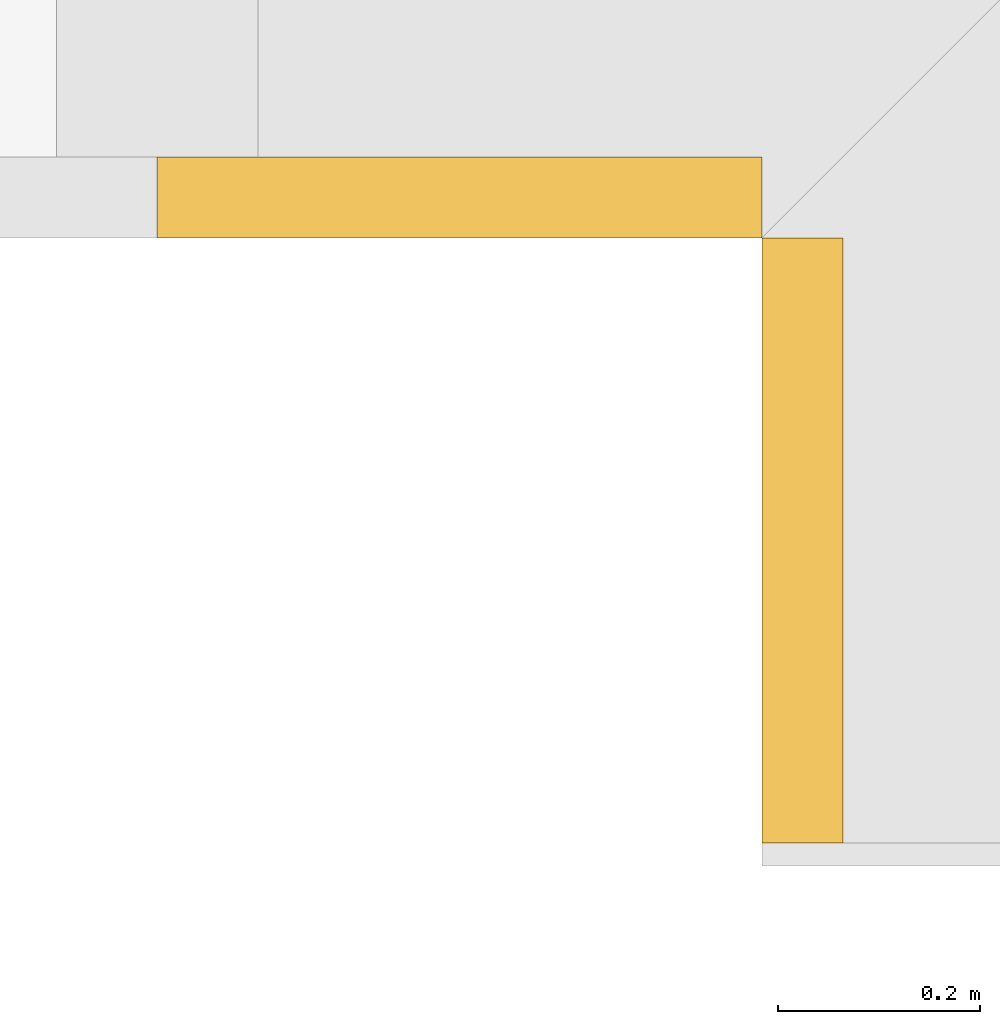
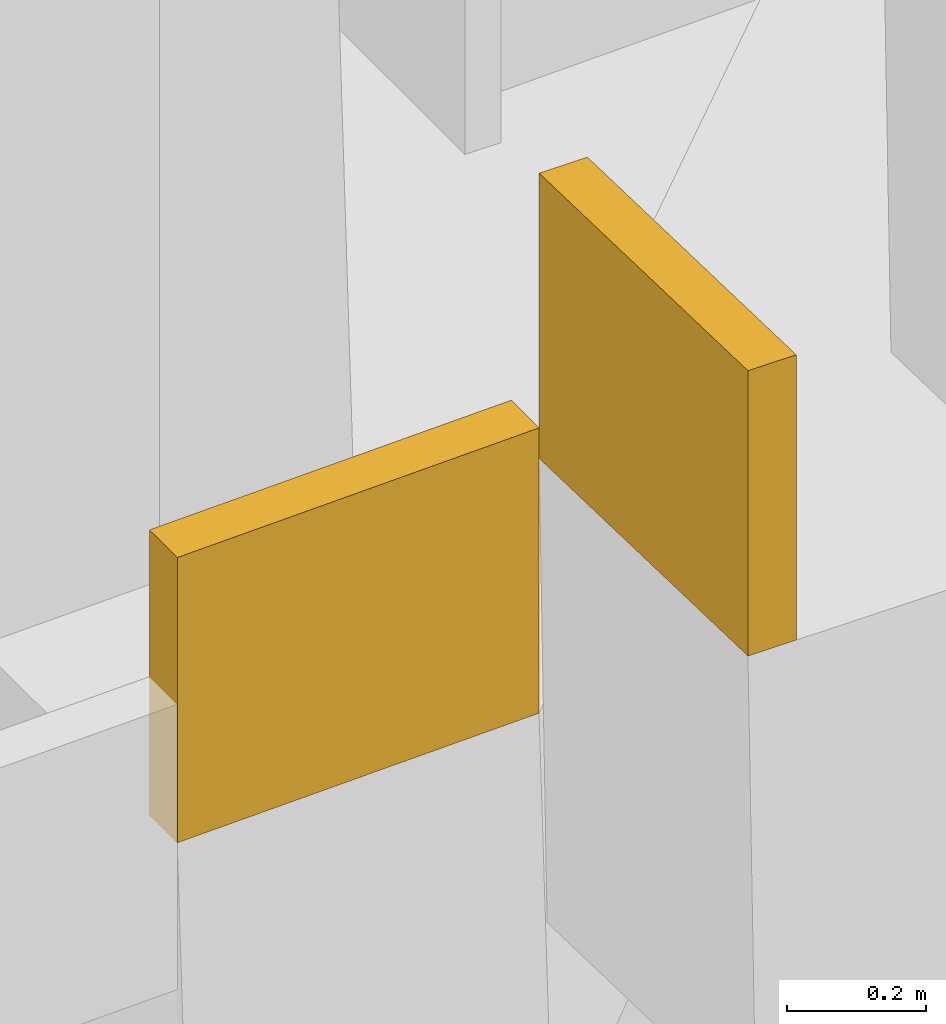
# One storey, part 29 of 30: 2 coverings.
"""IFC4 building model written with IfcOpenShell, lengths in metres."""

from ifc_helpers import new_model, si_unit, direction, frame, origin, place, context, subcontext, project, spatial, polyline, outline, extrude, material, layer, layer_set, type_object, element, save


model = new_model("IFC4")

# Units and contexts
model_context = context("Model", 3, precision=1e-05, world=origin(), true_north=direction((0.0, 1.0)))
body_context = subcontext(model_context, "Body", "Model", "MODEL_VIEW")
ifc_project = project(units=[si_unit("LENGTHUNIT", "METRE"), si_unit("AREAUNIT", "SQUARE_METRE"), si_unit("VOLUMEUNIT", "CUBIC_METRE"), si_unit("PLANEANGLEUNIT", "RADIAN"), si_unit("MASSUNIT", "GRAM", prefix="KILO")], contexts=[model_context])

# Site, building, storey
site_placement = place(None, origin())
site = spatial("IfcSite", under=ifc_project, at=site_placement, CompositionType="ELEMENT")
building_placement = place(site_placement, origin())
building = spatial("IfcBuilding", under=site, at=building_placement, Name="Saffron Gate Tower", CompositionType="ELEMENT")
storey_placement = place(building_placement, frame((0.0, 0.0, 245.10009765625)))
storey = spatial("IfcBuildingStorey", under=building, at=storey_placement, Name="L60", CompositionType="ELEMENT", Elevation=245.10009765625)

# Coverings
ifc_material = material(Name="Timber, thermally modified ash", Category="wood")
ifc_layer = layer(ifc_material, 0.080078125)
ifc_layer_set = layer_set([ifc_layer], Name="LD2 ledge planter trough")
covering_type = type_object("IfcCoveringType", Name="LD2 ledge planter trough", PredefinedType="CLADDING", material=ifc_layer_set)
for number, where, z_axis, x_axis, name in (
    (1, (49.800048828125, 32.39990234375, 3.024658203125), (0.0, -1.0, 0.0), (0.999582742162, 0.0, 0.028884971385), "LEDGE planter trough"),
    (2, (50.39990234375, 32.39990234375, 3.488525390625), (-1.0, 0.0, 0.0), (0.0, -0.999582742162, 0.028884971385), "LEDGE planter trough"),
):
    element("IfcCovering", number, at=place(storey_placement, frame(where, z_axis=z_axis, x_axis=x_axis)), inside=storey, type_object=covering_type, Name=name, PredefinedType="CLADDING", context=body_context, shape_type="SweptSolid", body=[
        extrude(outline(polyline([(0.0, 0.0), (0.6001039136866089, 0.0), (0.614546399379222, 0.4997913710809928), (0.014442485692613144, 0.49979137108099286), (0.0, 0.0)])), origin(), (0.0, 0.0, -1.0), 0.080078125),
    ])

save(model, "model.ifc")
